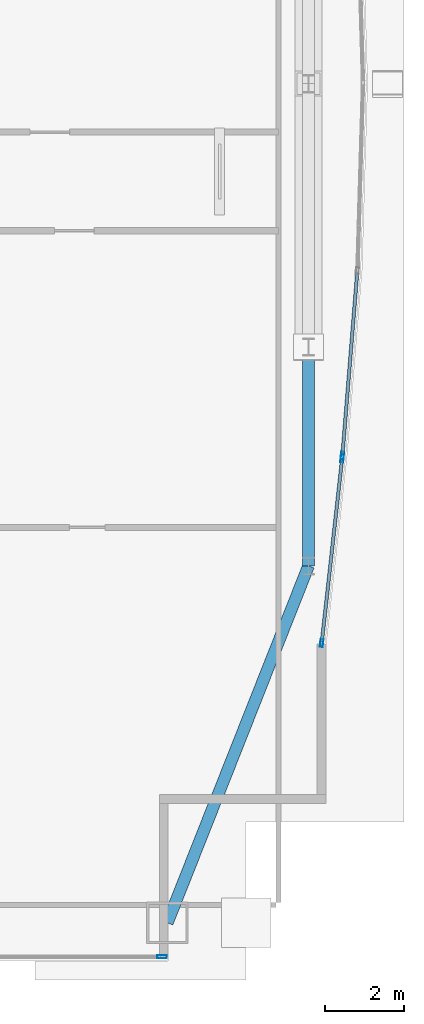
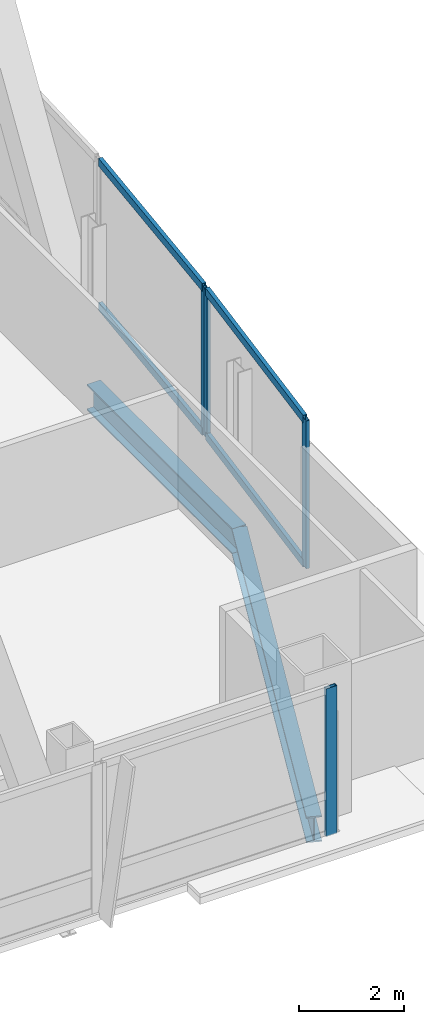
# One storey, part 16 of 30: 8 members, 2 beams, 3 elements without a shape of their own.
"""IFC4 building model written with IfcOpenShell, lengths in metres."""

from ifc_helpers import new_model, si_unit, direction, frame, origin, origin_2d, place, context, subcontext, project, spatial, hollow_rectangle, i_section, extrude, material, material_profile, profile_set, type_object, element, aggregate, save


model = new_model("IFC4")

# Units and contexts
model_context = context("Model", 3, precision=1e-05, world=origin(), true_north=direction((0.0, 1.0)))
body_context = subcontext(model_context, "Body", "Model", "MODEL_VIEW")
ifc_project = project(units=[si_unit("LENGTHUNIT", "METRE"), si_unit("AREAUNIT", "SQUARE_METRE"), si_unit("VOLUMEUNIT", "CUBIC_METRE"), si_unit("PLANEANGLEUNIT", "RADIAN"), si_unit("MASSUNIT", "GRAM", prefix="KILO")], contexts=[model_context])

# Site, building, storey
site_placement = place(None, origin())
site = spatial("IfcSite", under=ifc_project, at=site_placement, CompositionType="ELEMENT")
building_placement = place(site_placement, origin())
building = spatial("IfcBuilding", under=site, at=building_placement, Name="Khoronbel Lancet Exchange", CompositionType="ELEMENT")
storey_placement = place(building_placement, frame((0.0, 0.0, 239.0)))
storey = spatial("IfcBuildingStorey", under=building, at=storey_placement, Name="L61", CompositionType="ELEMENT", Elevation=239.0)

# Beams
ifc_material_1 = material(Name="Steel S355", Category="steel")
ifc_material_profile_1 = material_profile(ifc_material_1, i_section(OverallWidth=0.300048828125, OverallDepth=0.60009765625, WebThickness=0.015380859375, FlangeThickness=0.030029296875, at=origin_2d()), Name="HEB 600")
ifc_profile_set_1 = profile_set([ifc_material_profile_1], Name="Steel S355")
beam_type = type_object("IfcBeamType", Name="BM-BSP2", PredefinedType="SPANDREL", material=ifc_profile_set_1)
beam_1_placement = place(storey_placement, frame((60.050048828125, 10.14990234375, -0.4599609375), z_axis=(0.367828403855, 0.929893684954, 0.0), x_axis=(-0.929893684954, 0.367828403855, 0.0)))
element("IfcBeam", 1, at=beam_1_placement, inside=storey, type_object=beam_type, Name="Level L61 perimeter spandrel beam SP08", PredefinedType="SPANDREL", context=body_context, shape_type="SweptSolid", body=[
    extrude(i_section(OverallWidth=0.300048828125, OverallDepth=0.60009765625, WebThickness=0.015380859375, FlangeThickness=0.030029296875, at=origin_2d()), origin(), (0.0, 0.0, 1.0), 9.732421875),
])
beam_2_placement = place(storey_placement, frame((63.6298828125, 19.199951171875, -0.4599609375), z_axis=(0.0, 1.0, 0.0), x_axis=(-1.0, 0.0, 0.0)))
element("IfcBeam", 2, at=beam_2_placement, inside=storey, type_object=beam_type, Name="Level L61 perimeter spandrel beam SP09", PredefinedType="SPANDREL", context=body_context, shape_type="SweptSolid", body=[
    extrude(i_section(OverallWidth=0.300048828125, OverallDepth=0.60009765625, WebThickness=0.015380859375, FlangeThickness=0.030029296875, at=origin_2d()), origin(), (0.0, 0.0, 1.0), 5.550048828125),
])

# Curtain wall, member
ifc_material_2 = material(Name="Low-E Solar Control Insulating Glass", Category="glass")
curtain_wall_type_1 = type_object("IfcCurtainWallType", Name="CW-3", PredefinedType="NOTDEFINED", material=ifc_material_2)
curtain_wall_1_placement = place(storey_placement, origin())
curtain_wall_1 = element("IfcCurtainWall", 3, at=curtain_wall_1_placement, inside=storey, type_object=curtain_wall_type_1, Name="Unitised curtain wall CW-L61-SEV", PredefinedType="NOTDEFINED")
ifc_material_3 = material(Name="Bronze-Anodised Aluminium 6063-T6", Category="aluminium")
ifc_material_profile_2 = material_profile(ifc_material_3, hollow_rectangle(XDim=0.0849609375, YDim=0.239990234375, WallThickness=0.006103515625, at=origin_2d()), Name="ALU MULLION 85x240")
ifc_profile_set_2 = profile_set([ifc_material_profile_2], Name="Bronze-Anodised Aluminium 6063-T6")
member_type_1 = type_object("IfcMemberType", Name="MEM-CWM1", PredefinedType="MULLION", material=ifc_profile_set_2)
member_1_placement = place(storey_placement, frame((59.91748046875, 9.2900390625, 0.0), z_axis=(0.0, 0.0, 1.0), x_axis=(0.0, 1.0, 0.0)))
member_1 = element("IfcMember", 4, at=member_1_placement, type_object=member_type_1, Name="CW3 mullion 2", PredefinedType="MULLION", context=body_context, shape_type="SweptSolid", body=[
    extrude(hollow_rectangle(XDim=0.0849609375, YDim=0.239990234375, WallThickness=0.006103515625, at=origin_2d()), origin(), (0.0, 0.0, 1.0), 3.43994140625),
])
aggregate(curtain_wall_1, [member_1])

curtain_wall_type_2 = type_object("IfcCurtainWallType", Name="CW-4", PredefinedType="NOTDEFINED", material=ifc_material_2)
curtain_wall_2_placement = place(storey_placement, origin())
curtain_wall_2 = element("IfcCurtainWall", 5, at=curtain_wall_2_placement, inside=storey, type_object=curtain_wall_type_2, Name="Unitised curtain wall CW-L61-E21", PredefinedType="NOTDEFINED")
ifc_material_profile_3 = material_profile(ifc_material_3, hollow_rectangle(XDim=0.074951171875, YDim=0.199951171875, WallThickness=0.0048828125, at=origin_2d()), Name="ALU MULLION 75x200")
ifc_profile_set_3 = profile_set([ifc_material_profile_3], Name="Bronze-Anodised Aluminium 6063-T6")
member_type_2 = type_object("IfcMemberType", Name="MEM-CWM2", PredefinedType="MULLION", material=ifc_profile_set_3)
member_2_placement = place(storey_placement, frame((64.488525390625, 21.99609375, 0.0), z_axis=(0.0, 0.0, 1.0), x_axis=(0.996743296731, -0.080639943095, 0.0)))
member_2 = element("IfcMember", 6, at=member_2_placement, type_object=member_type_2, Name="CW4 mullion 2", PredefinedType="MULLION", context=body_context, shape_type="SweptSolid", body=[
    extrude(hollow_rectangle(XDim=0.074951171875, YDim=0.199951171875, WallThickness=0.0048828125, at=origin_2d()), origin(), (0.0, 0.0, 1.0), 3.43994140625),
])

# Curtain wall, members
curtain_wall_3_placement = place(storey_placement, origin())
curtain_wall_3 = element("IfcCurtainWall", 7, at=curtain_wall_3_placement, inside=storey, type_object=curtain_wall_type_2, Name="Unitised curtain wall CW-L61-E22", PredefinedType="NOTDEFINED")
member_3_placement = place(storey_placement, frame((64.481201171875, 21.92138671875, 0.0), z_axis=(0.0, 0.0, 1.0), x_axis=(0.993947317123, -0.109857775256, 0.0)))
member_3 = element("IfcMember", 8, at=member_3_placement, type_object=member_type_2, Name="CW4 mullion 1", PredefinedType="MULLION", context=body_context, shape_type="SweptSolid", body=[
    extrude(hollow_rectangle(XDim=0.074951171875, YDim=0.199951171875, WallThickness=0.0048828125, at=origin_2d()), origin(), (0.0, 0.0, 1.0), 3.43994140625),
])
member_4_placement = place(storey_placement, frame((63.964111328125, 17.2421875, 0.0), z_axis=(0.0, 0.0, 1.0), x_axis=(0.993947317123, -0.109857775256, 0.0)))
member_4 = element("IfcMember", 9, at=member_4_placement, type_object=member_type_2, Name="CW4 mullion 2", PredefinedType="MULLION", context=body_context, shape_type="SweptSolid", body=[
    extrude(hollow_rectangle(XDim=0.074951171875, YDim=0.199951171875, WallThickness=0.0048828125, at=origin_2d()), origin(), (0.0, 0.0, 1.0), 3.43994140625),
])

# Member
ifc_material_profile_4 = material_profile(ifc_material_3, hollow_rectangle(XDim=0.0849609375, YDim=0.179931640625, WallThickness=0.0048828125, at=origin_2d()), Name="ALU TRANSOM 85x180")
ifc_profile_set_4 = profile_set([ifc_material_profile_4], Name="Bronze-Anodised Aluminium 6063-T6")
member_type_3 = type_object("IfcMemberType", Name="MEM-CWT1", PredefinedType="USERDEFINED", material=ifc_profile_set_4)
member_5_placement = place(storey_placement, frame((64.86328125, 26.630126953125, 0.04248046875), z_axis=(-0.080626814238, -0.996744358813, 0.0), x_axis=(0.996744358813, -0.080626814238, 0.0)))
member_5 = element("IfcMember", 10, at=member_5_placement, type_object=member_type_3, Name="CW4 transom 1.1", ObjectType="TRANSOM", PredefinedType="USERDEFINED", context=body_context, shape_type="SweptSolid", body=[
    extrude(hollow_rectangle(XDim=0.0849609375, YDim=0.179931640625, WallThickness=0.0048828125, at=origin_2d()), origin(), (0.0, 0.0, 1.0), 4.611572265625),
])

member_6_placement = place(storey_placement, frame((64.86328125, 26.630126953125, 3.3974609375), z_axis=(-0.080626814238, -0.996744358813, 0.0), x_axis=(0.996744358813, -0.080626814238, 0.0)))
member_6 = element("IfcMember", 11, at=member_6_placement, type_object=member_type_3, Name="CW4 transom 1.2", ObjectType="TRANSOM", PredefinedType="USERDEFINED", context=body_context, shape_type="SweptSolid", body=[
    extrude(hollow_rectangle(XDim=0.0849609375, YDim=0.179931640625, WallThickness=0.0048828125, at=origin_2d()), origin(), (0.0, 0.0, 1.0), 4.611572265625),
])

aggregate(curtain_wall_2, [member_2, member_5, member_6])

member_7_placement = place(storey_placement, frame((64.47705078125, 21.884033203125, 0.04248046875), z_axis=(-0.109829937442, -0.993950393552, 0.0), x_axis=(0.993950393552, -0.109829937442, 0.0)))
member_7 = element("IfcMember", 12, at=member_7_placement, type_object=member_type_3, Name="CW4 transom 1.1", ObjectType="TRANSOM", PredefinedType="USERDEFINED", context=body_context, shape_type="SweptSolid", body=[
    extrude(hollow_rectangle(XDim=0.0849609375, YDim=0.179931640625, WallThickness=0.0048828125, at=origin_2d()), origin(), (0.0, 0.0, 1.0), 4.632568359375),
])

member_8_placement = place(storey_placement, frame((64.47705078125, 21.884033203125, 3.3974609375), z_axis=(-0.109829937442, -0.993950393552, 0.0), x_axis=(0.993950393552, -0.109829937442, 0.0)))
member_8 = element("IfcMember", 13, at=member_8_placement, type_object=member_type_3, Name="CW4 transom 1.2", ObjectType="TRANSOM", PredefinedType="USERDEFINED", context=body_context, shape_type="SweptSolid", body=[
    extrude(hollow_rectangle(XDim=0.0849609375, YDim=0.179931640625, WallThickness=0.0048828125, at=origin_2d()), origin(), (0.0, 0.0, 1.0), 4.632568359375),
])

aggregate(curtain_wall_3, [member_3, member_4, member_7, member_8])

save(model, "model.ifc")
